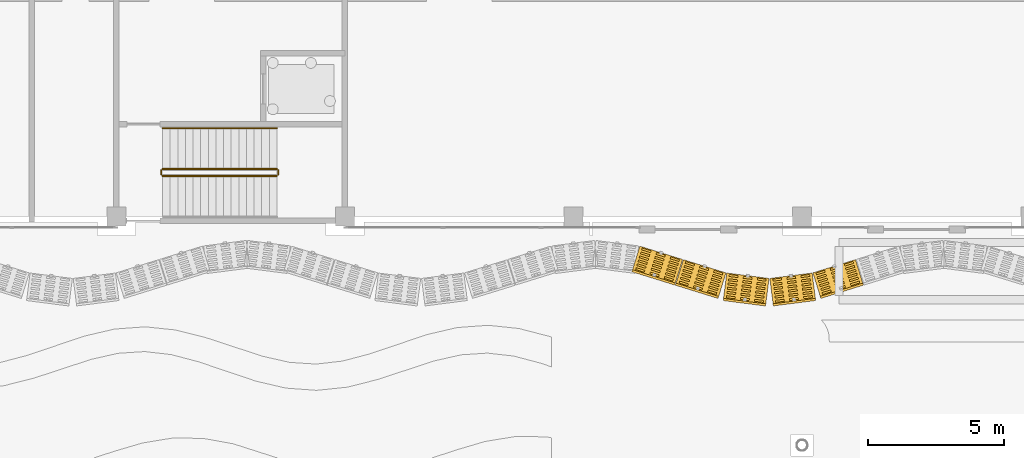
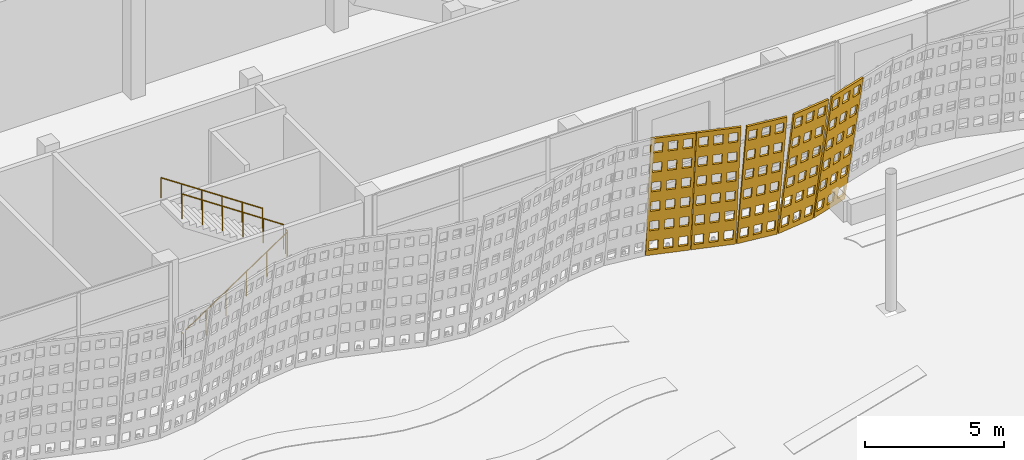
# One storey, part 170 of 210: 5 coverings, 5 railings.
"""IFC4 building model written with IfcOpenShell, lengths in metres."""

import ifcopenshell
import ifcopenshell.guid

model = None  # the IFC model being written
_history = None  # IfcOwnerHistory: only IFC2X3 demands one
_inside = {}  # id of a spatial element -> (the spatial element, [elements in it])
_under = {}  # id of a project, library or spatial element -> (it, [spatial elements below it])
_declared = {}  # id of a project -> (the project, [libraries it declares])
_typed = {}  # id of a type object -> (the type object, [elements of that type])
_made_of = {}  # id of a material, layer set ... -> (it, [elements and type objects made of it])


def new_model(schema):
    """Start an empty IFC model of exactly this schema.

    Asked for "IFC4X3", IfcOpenShell would pick the latest addendum, in which some entities
    have other attributes; the version numbers below select the first issue.
    IFC2X3 requires an IfcOwnerHistory on every rooted entity: one is made here for all.
    """
    global model, _history
    if schema == "IFC4X3":
        model = ifcopenshell.file(schema_version=(4, 3, 0, 0))
    else:
        model = ifcopenshell.file(schema=schema)
    _inside.clear()
    _under.clear()
    _declared.clear()
    _typed.clear()
    _made_of.clear()
    _history = None
    if model.schema == "IFC2X3":
        org = make("IfcOrganization", Name="unknown")
        user = make(
            "IfcPersonAndOrganization",
            ThePerson=make("IfcPerson", FamilyName="unknown"),
            TheOrganization=org,
        )
        app = make(
            "IfcApplication",
            ApplicationDeveloper=org,
            Version="unknown",
            ApplicationFullName="unknown",
            ApplicationIdentifier="unknown",
        )
        _history = make(
            "IfcOwnerHistory",
            OwningUser=user,
            OwningApplication=app,
            ChangeAction="ADDED",
            CreationDate=0,
        )
    return model


def make(cls, **values):
    """One entity of the class cls with the attributes given. An attribute that is None is left unset."""
    return model.create_entity(
        cls, **{name: value for name, value in values.items() if value is not None}
    )


def rooted(cls, **values):
    """An entity with a GlobalId (a new one), such as an element, a storey or a relation."""
    return make(cls, GlobalId=ifcopenshell.guid.new(), OwnerHistory=_history, **values)


def si_unit(unit_type, name, prefix=None):
    """IfcSIUnit, for example si_unit("LENGTHUNIT", "METRE", prefix="MILLI")."""
    return make("IfcSIUnit", UnitType=unit_type, Prefix=prefix, Name=name)


def assignment(units):
    """IfcUnitAssignment: the units of a project."""
    return None if units is None else make("IfcUnitAssignment", Units=units)


def point(xyz):
    """IfcCartesianPoint."""
    return None if xyz is None else make("IfcCartesianPoint", Coordinates=xyz)


def direction(xyz):
    """IfcDirection."""
    return None if xyz is None else make("IfcDirection", DirectionRatios=xyz)


def frame(location, z_axis=None, x_axis=None):
    """IfcAxis2Placement3D, a coordinate frame: its origin and axes. An axis left out is left unset."""
    return make(
        "IfcAxis2Placement3D",
        Location=point(location),
        Axis=direction(z_axis),
        RefDirection=direction(x_axis),
    )


def frame_2d(location, x_axis=None):
    """IfcAxis2Placement2D, a coordinate frame in the plane: its origin and x axis."""
    return make(
        "IfcAxis2Placement2D", Location=point(location), RefDirection=direction(x_axis)
    )


def origin():
    """The frame at (0, 0, 0) with its axes left unset."""
    return frame((0.0, 0.0, 0.0))


def origin_2d():
    """The frame at (0, 0) in the plane with its x axis left unset."""
    return frame_2d((0.0, 0.0))


def place(relative_to, where):
    """IfcLocalPlacement: puts the frame where relative to a parent placement (None: the world)."""
    return make(
        "IfcLocalPlacement", PlacementRelTo=relative_to, RelativePlacement=where
    )


def context(
    kind, dimensions, precision=None, world=None, true_north=None, identifier=None
):
    """IfcGeometricRepresentationContext, for example the 3D "Model" context."""
    return make(
        "IfcGeometricRepresentationContext",
        ContextIdentifier=identifier,
        ContextType=kind,
        CoordinateSpaceDimension=dimensions,
        Precision=precision,
        WorldCoordinateSystem=world,
        TrueNorth=true_north,
    )


def subcontext(parent, identifier, kind, view, scale=None):
    """IfcGeometricRepresentationSubContext, for example "Body" below "Model"."""
    return make(
        "IfcGeometricRepresentationSubContext",
        ContextIdentifier=identifier,
        ContextType=kind,
        ParentContext=parent,
        TargetScale=scale,
        TargetView=view,
    )


def project(units=None, contexts=None):
    """IfcProject with its units and contexts."""
    return rooted(
        "IfcProject",
        Name="project",
        RepresentationContexts=contexts,
        UnitsInContext=assignment(units),
    )


def spatial(cls, under=None, at=None, **own):
    """A site, building, storey or space (cls), placed at a placement, below another one or the project."""
    s = rooted(cls, ObjectPlacement=at, **own)
    if under is not None:
        _under.setdefault(under.id(), (under, []))[1].append(s)
    return s


def polyline(points):
    """IfcPolyline through the points."""
    return make("IfcPolyline", Points=[point(p) for p in points])


def profile(cls, at=None, kind="AREA", **sizes):
    """A parametric profile (cls). Its sizes go by their IFC names, for example OverallWidth=200.0."""
    return make(cls, ProfileType=kind, Position=at, **sizes)


def circle(**sizes):
    """IfcCircleProfileDef."""
    return profile("IfcCircleProfileDef", **sizes)


def outline(outer, holes=None, kind="AREA"):
    """IfcArbitraryClosedProfileDef: a profile drawn as a closed curve; with holes, ...WithVoids."""
    if holes is None:
        return make("IfcArbitraryClosedProfileDef", ProfileType=kind, OuterCurve=outer)
    return make(
        "IfcArbitraryProfileDefWithVoids",
        ProfileType=kind,
        OuterCurve=outer,
        InnerCurves=holes,
    )


def extrude(swept, where, along, depth):
    """IfcExtrudedAreaSolid: the profile swept, set in the frame where, extruded along a direction by depth."""
    return make(
        "IfcExtrudedAreaSolid",
        SweptArea=swept,
        Position=where,
        ExtrudedDirection=direction(along),
        Depth=depth,
    )


def shape(context_of_items, identifier, shape_type, items):
    """IfcShapeRepresentation: the items that make up one representation, for example the "Body"."""
    return make(
        "IfcShapeRepresentation",
        ContextOfItems=context_of_items,
        RepresentationIdentifier=identifier,
        RepresentationType=shape_type,
        Items=items,
    )


def material(Name=None, Category=None):
    """IfcMaterial."""
    return make("IfcMaterial", Name=Name, Category=Category)


def layer(
    of_material, thickness, ventilated=None, Name=None, Category=None, Priority=None
):
    """IfcMaterialLayer: one layer of a wall or slab, of a material (None: an air gap)."""
    return make(
        "IfcMaterialLayer",
        Material=of_material,
        LayerThickness=thickness,
        IsVentilated=ventilated,
        Name=Name,
        Category=Category,
        Priority=Priority,
    )


def layer_set(layers, Name=None):
    """IfcMaterialLayerSet."""
    return make("IfcMaterialLayerSet", MaterialLayers=layers, LayerSetName=Name)


def made_of(thing, what):
    """Note that an element or type object is made of a material, layer set ...; save() writes the relation."""
    if what is not None:
        _made_of.setdefault(what.id(), (what, []))[1].append(thing)
    return thing


def type_object(cls, material=None, **own):
    """A type object (cls), such as IfcWallType, which elements share."""
    return made_of(rooted(cls, **own), material)


def element(
    cls,
    number,
    at=None,
    inside=None,
    cuts=None,
    type_object=None,
    material=None,
    context=None,
    identifier="Body",
    shape_type=None,
    held_by="IfcProductDefinitionShape",
    body=None,
    shapes=None,
    **own,
):
    """One element of the class cls, such as IfcWall. Its Tag is "e" and its number.

    at: its placement. inside: the storey or other place that contains it. cuts: it is an
    opening in that element (IfcRelVoidsElement). A single representation is given by context,
    identifier, shape_type and body (its items); several are given by shapes. held_by: the class
    of the entity that holds the representations. save() writes the other relations.
    """
    e = rooted(cls, Tag="e%d" % number, ObjectPlacement=at, **own)
    if body is not None:
        shapes = [shape(context, identifier, shape_type, body)]
    if shapes is not None:
        e.Representation = make(held_by, Representations=shapes)
    if inside is not None:
        _inside.setdefault(inside.id(), (inside, []))[1].append(e)
    if cuts is not None:
        rooted(
            "IfcRelVoidsElement", RelatingBuildingElement=cuts, RelatedOpeningElement=e
        )
    if type_object is not None:
        _typed.setdefault(type_object.id(), (type_object, []))[1].append(e)
    return made_of(e, material)


def aggregate(whole, parts):
    """IfcRelAggregates: a whole, such as a stair, and the parts it consists of."""
    return rooted("IfcRelAggregates", RelatingObject=whole, RelatedObjects=parts)


def save(model, path):
    """Write the relations noted so far, then the file.

    IfcRelAggregates (storeys below a building ...), IfcRelContainedInSpatialStructure (elements
    in a storey), IfcRelDefinesByType, IfcRelAssociatesMaterial and IfcRelDeclares: one each for
    every whole, place, type object, material and project.
    """
    for whole, parts in _under.values():
        aggregate(whole, parts)
    for where, things in _inside.values():
        rooted(
            "IfcRelContainedInSpatialStructure",
            RelatedElements=things,
            RelatingStructure=where,
        )
    for kind, things in _typed.values():
        rooted("IfcRelDefinesByType", RelatedObjects=things, RelatingType=kind)
    for what, things in _made_of.values():
        rooted("IfcRelAssociatesMaterial", RelatedObjects=things, RelatingMaterial=what)
    for by, libraries in _declared.values():
        rooted("IfcRelDeclares", RelatingContext=by, RelatedDefinitions=libraries)
    model.write(path)


model = new_model("IFC4")

# Units and contexts
model_context = context("Model", 3, precision=1e-05, world=origin(), true_north=direction((0.0, 1.0)))
body_context = subcontext(model_context, "Body", "Model", "MODEL_VIEW")
ifc_project = project(units=[si_unit("LENGTHUNIT", "METRE"), si_unit("AREAUNIT", "SQUARE_METRE"), si_unit("VOLUMEUNIT", "CUBIC_METRE"), si_unit("PLANEANGLEUNIT", "RADIAN"), si_unit("MASSUNIT", "GRAM", prefix="KILO")], contexts=[model_context])

# Site, building, storey
site_placement = place(None, origin())
site = spatial("IfcSite", under=ifc_project, at=site_placement, CompositionType="ELEMENT")
building_placement = place(site_placement, origin())
building = spatial("IfcBuilding", under=site, at=building_placement, Name="Rain Tree Exposition and Congress Centre", CompositionType="ELEMENT")
storey_placement = place(building_placement, origin())
storey = spatial("IfcBuildingStorey", under=building, at=storey_placement, Name="L00", CompositionType="ELEMENT", Elevation=0.0)

# Railings
ifc_material_1 = material(Name="Aluminium and glass balustrade", Category="aluminium")
railing_type_1 = type_object("IfcRailingType", Name="Concourse guard 1100", PredefinedType="GUARDRAIL", material=ifc_material_1)
railing_1_placement = place(storey_placement, frame((35.300048828125, 77.10009765625, 0.1875)))
element("IfcRailing", 1, at=railing_1_placement, inside=storey, type_object=railing_type_1, Name="L00 ST-C1 stair guard 1", PredefinedType="GUARDRAIL", context=body_context, shape_type="SweptSolid", body=[
    extrude(circle(Radius=0.02392578125, at=origin_2d()), frame((0.0, 0.0, 1.076171875), z_axis=(0.830904186295, 0.0, 0.556415522067), x_axis=(0.0, 1.0, 0.0)), (0.0, 0.0, 1.0), 5.0546875),
    extrude(circle(Radius=0.02099609375, at=origin_2d()), origin(), (0.0, 0.0, 1.0), 1.052001953125),
    extrude(circle(Radius=0.02099609375, at=origin_2d()), frame((0.840087890625, 0.0, 0.5625)), (0.0, 0.0, 1.0), 1.052001953125),
    extrude(circle(Radius=0.02099609375, at=origin_2d()), frame((1.679931640625, 0.0, 1.125)), (0.0, 0.0, 1.0), 1.052001953125),
    extrude(circle(Radius=0.02099609375, at=origin_2d()), frame((2.52001953125, 0.0, 1.6875)), (0.0, 0.0, 1.0), 1.052001953125),
    extrude(circle(Radius=0.02099609375, at=origin_2d()), frame((3.35986328125, 0.0, 2.25)), (0.0, 0.0, 1.0), 1.052001953125),
    extrude(circle(Radius=0.02099609375, at=origin_2d()), frame((4.199951171875, 0.0, 2.8125)), (0.0, 0.0, 1.0), 1.052001953125),
])
railing_2_placement = place(storey_placement, frame((39.550048828125, 77.14990234375, 3.0)))
element("IfcRailing", 2, at=railing_2_placement, inside=storey, type_object=railing_type_1, Name="L00 ST-C1 stair guard 2", PredefinedType="GUARDRAIL", context=body_context, shape_type="SweptSolid", body=[
    extrude(circle(Radius=0.02392578125, at=origin_2d()), frame((0.0, 0.0, 1.076171875), z_axis=(0.0, 1.0, 0.0), x_axis=(-1.0, 0.0, 0.0)), (0.0, 0.0, 1.0), 0.150146484375),
    extrude(circle(Radius=0.02099609375, at=origin_2d()), origin(), (0.0, 0.0, 1.0), 1.052001953125),
    extrude(circle(Radius=0.02099609375, at=origin_2d()), frame((0.0, 0.150146484375, 0.0)), (0.0, 0.0, 1.0), 1.052001953125),
])
railing_3_placement = place(storey_placement, frame((39.5, 77.35009765625, 3.1875)))
element("IfcRailing", 3, at=railing_3_placement, inside=storey, type_object=railing_type_1, Name="L00 ST-C1 stair guard 3", PredefinedType="GUARDRAIL", context=body_context, shape_type="SweptSolid", body=[
    extrude(circle(Radius=0.02392578125, at=origin_2d()), frame((0.0, 0.0, 1.076171875), z_axis=(-0.830904186295, 0.0, 0.556415522067), x_axis=(0.0, -1.0, 0.0)), (0.0, 0.0, 1.0), 5.0546875),
    extrude(circle(Radius=0.02099609375, at=origin_2d()), origin(), (0.0, 0.0, 1.0), 1.052001953125),
    extrude(circle(Radius=0.02099609375, at=origin_2d()), frame((-0.840087890625, 0.0, 0.5625)), (0.0, 0.0, 1.0), 1.052001953125),
    extrude(circle(Radius=0.02099609375, at=origin_2d()), frame((-1.679931640625, 0.0, 1.125)), (0.0, 0.0, 1.0), 1.052001953125),
    extrude(circle(Radius=0.02099609375, at=origin_2d()), frame((-2.52001953125, 0.0, 1.6875)), (0.0, 0.0, 1.0), 1.052001953125),
    extrude(circle(Radius=0.02099609375, at=origin_2d()), frame((-3.35986328125, 0.0, 2.25)), (0.0, 0.0, 1.0), 1.052001953125),
    extrude(circle(Radius=0.02099609375, at=origin_2d()), frame((-4.199951171875, 0.0, 2.8125)), (0.0, 0.0, 1.0), 1.052001953125),
])
railing_4_placement = place(storey_placement, frame((35.25, 77.14990234375, 0.0)))
element("IfcRailing", 4, at=railing_4_placement, inside=storey, type_object=railing_type_1, Name="L00 ST-C1 stair guard 4", PredefinedType="GUARDRAIL", context=body_context, shape_type="SweptSolid", body=[
    extrude(circle(Radius=0.02392578125, at=origin_2d()), frame((0.0, 0.0, 1.076171875), z_axis=(0.0, 1.0, 0.0), x_axis=(-1.0, 0.0, 0.0)), (0.0, 0.0, 1.0), 0.150146484375),
    extrude(circle(Radius=0.02099609375, at=origin_2d()), origin(), (0.0, 0.0, 1.0), 1.052001953125),
    extrude(circle(Radius=0.02099609375, at=origin_2d()), frame((0.0, 0.150146484375, 0.0)), (0.0, 0.0, 1.0), 1.052001953125),
])
ifc_material_2 = material(Name="Aluminium handrail", Category="aluminium")
railing_type_2 = type_object("IfcRailingType", Name="Concourse handrail 900", PredefinedType="HANDRAIL", material=ifc_material_2)
railing_5_placement = place(storey_placement, frame((39.5, 78.85009765625, 3.1875)))
element("IfcRailing", 5, at=railing_5_placement, inside=storey, type_object=railing_type_2, Name="L00 ST-C1 stair handrail 2", PredefinedType="HANDRAIL", context=body_context, shape_type="SweptSolid", body=[
    extrude(circle(Radius=0.02392578125, at=origin_2d()), frame((0.0, 0.0, 0.8759765625), z_axis=(-0.830904186295, 0.0, 0.556415522067), x_axis=(0.0, -1.0, 0.0)), (0.0, 0.0, 1.0), 5.0546875),
    extrude(circle(Radius=0.02099609375, at=origin_2d()), origin(), (0.0, 0.0, 1.0), 0.851806640625),
    extrude(circle(Radius=0.02099609375, at=origin_2d()), frame((-0.840087890625, 0.0, 0.5625)), (0.0, 0.0, 1.0), 0.851806640625),
    extrude(circle(Radius=0.02099609375, at=origin_2d()), frame((-1.679931640625, 0.0, 1.125)), (0.0, 0.0, 1.0), 0.851806640625),
    extrude(circle(Radius=0.02099609375, at=origin_2d()), frame((-2.52001953125, 0.0, 1.6875)), (0.0, 0.0, 1.0), 0.851806640625),
    extrude(circle(Radius=0.02099609375, at=origin_2d()), frame((-3.35986328125, 0.0, 2.25)), (0.0, 0.0, 1.0), 0.851806640625),
    extrude(circle(Radius=0.02099609375, at=origin_2d()), frame((-4.199951171875, 0.0, 2.8125)), (0.0, 0.0, 1.0), 0.851806640625),
])

# Coverings
ifc_material_3 = material(Name="Perforated terracotta", Category="masonry")
ifc_layer = layer(ifc_material_3, 0.080078125)
ifc_layer_set = layer_set([ifc_layer], Name="Perforated terracotta")
covering_type = type_object("IfcCoveringType", Name="Terracotta screen 80", PredefinedType="CLADDING", material=ifc_layer_set)
covering_1_placement = place(storey_placement, frame((52.800048828125, 74.445068359375, 0.0), z_axis=(0.293072736571, 0.943327870838, 0.155694891303), x_axis=(-0.954973588716, 0.296690823679, 0.0)))
element("IfcCovering", 6, at=covering_1_placement, inside=storey, type_object=covering_type, Name="concourse/screen/L00/034", PredefinedType="CLADDING", context=body_context, shape_type="SweptSolid", body=[
    extrude(outline(polyline([(-0.014892578125, 0.0), (-1.659912109375, 0.0), (-1.659912109375, 5.80859375), (-0.014892578125, 5.80859375), (-0.014892578125, 0.0)]), holes=[polyline([(-0.119140625, 0.249755859375), (-0.119140625, 0.71826171875), (-0.458984375, 0.71826171875), (-0.458984375, 0.249755859375), (-0.119140625, 0.249755859375)]), polyline([(-0.119140625, 1.218017578125), (-0.119140625, 1.686279296875), (-0.458984375, 1.686279296875), (-0.458984375, 1.218017578125), (-0.119140625, 1.218017578125)]), polyline([(-0.119140625, 2.18603515625), (-0.119140625, 2.654541015625), (-0.458984375, 2.654541015625), (-0.458984375, 2.18603515625), (-0.119140625, 2.18603515625)]), polyline([(-0.119140625, 3.154052734375), (-0.119140625, 3.62255859375), (-0.458984375, 3.62255859375), (-0.458984375, 3.154052734375), (-0.119140625, 3.154052734375)]), polyline([(-0.119140625, 4.122314453125), (-0.119140625, 4.5908203125), (-0.458984375, 4.5908203125), (-0.458984375, 4.122314453125), (-0.119140625, 4.122314453125)]), polyline([(-0.119140625, 5.09033203125), (-0.119140625, 5.558837890625), (-0.458984375, 5.558837890625), (-0.458984375, 5.09033203125), (-0.119140625, 5.09033203125)]), polyline([(-0.66748046875, 0.249755859375), (-0.66748046875, 0.71826171875), (-1.00732421875, 0.71826171875), (-1.00732421875, 0.249755859375), (-0.66748046875, 0.249755859375)]), polyline([(-0.66748046875, 1.218017578125), (-0.66748046875, 1.686279296875), (-1.00732421875, 1.686279296875), (-1.00732421875, 1.218017578125), (-0.66748046875, 1.218017578125)]), polyline([(-0.66748046875, 2.18603515625), (-0.66748046875, 2.654541015625), (-1.00732421875, 2.654541015625), (-1.00732421875, 2.18603515625), (-0.66748046875, 2.18603515625)]), polyline([(-0.66748046875, 3.154052734375), (-0.66748046875, 3.62255859375), (-1.00732421875, 3.62255859375), (-1.00732421875, 3.154052734375), (-0.66748046875, 3.154052734375)]), polyline([(-0.66748046875, 4.122314453125), (-0.66748046875, 4.5908203125), (-1.00732421875, 4.5908203125), (-1.00732421875, 4.122314453125), (-0.66748046875, 4.122314453125)]), polyline([(-0.66748046875, 5.09033203125), (-0.66748046875, 5.558837890625), (-1.00732421875, 5.558837890625), (-1.00732421875, 5.09033203125), (-0.66748046875, 5.09033203125)]), polyline([(-1.2158203125, 0.249755859375), (-1.2158203125, 0.71826171875), (-1.5556640625, 0.71826171875), (-1.5556640625, 0.249755859375), (-1.2158203125, 0.249755859375)]), polyline([(-1.2158203125, 1.218017578125), (-1.2158203125, 1.686279296875), (-1.5556640625, 1.686279296875), (-1.5556640625, 1.218017578125), (-1.2158203125, 1.218017578125)]), polyline([(-1.2158203125, 2.18603515625), (-1.2158203125, 2.654541015625), (-1.5556640625, 2.654541015625), (-1.5556640625, 2.18603515625), (-1.2158203125, 2.18603515625)]), polyline([(-1.2158203125, 3.154052734375), (-1.2158203125, 3.62255859375), (-1.5556640625, 3.62255859375), (-1.5556640625, 3.154052734375), (-1.2158203125, 3.154052734375)]), polyline([(-1.2158203125, 4.122314453125), (-1.2158203125, 4.5908203125), (-1.5556640625, 4.5908203125), (-1.5556640625, 4.122314453125), (-1.2158203125, 4.122314453125)]), polyline([(-1.2158203125, 5.09033203125), (-1.2158203125, 5.558837890625), (-1.5556640625, 5.558837890625), (-1.5556640625, 5.09033203125), (-1.2158203125, 5.09033203125)])]), origin(), (0.0, 0.0, 1.0), 0.080078125),
])
covering_2_placement = place(storey_placement, frame((54.39990234375, 73.949951171875, 0.0), z_axis=(0.293072736571, 0.943327870838, 0.155694891303), x_axis=(-0.954973588716, 0.296690823679, 0.0)))
element("IfcCovering", 7, at=covering_2_placement, inside=storey, type_object=covering_type, Name="concourse/screen/L00/035", PredefinedType="CLADDING", context=body_context, shape_type="SweptSolid", body=[
    extrude(outline(polyline([(-0.014892578125, 0.0), (-1.65283203125, 0.0), (-1.65283203125, 5.80859375), (-0.014892578125, 5.80859375), (-0.014892578125, 0.0)]), holes=[polyline([(-0.11865234375, 0.249755859375), (-0.11865234375, 0.71826171875), (-0.457275390625, 0.71826171875), (-0.457275390625, 0.249755859375), (-0.11865234375, 0.249755859375)]), polyline([(-0.11865234375, 1.218017578125), (-0.11865234375, 1.686279296875), (-0.457275390625, 1.686279296875), (-0.457275390625, 1.218017578125), (-0.11865234375, 1.218017578125)]), polyline([(-0.11865234375, 2.18603515625), (-0.11865234375, 2.654541015625), (-0.457275390625, 2.654541015625), (-0.457275390625, 2.18603515625), (-0.11865234375, 2.18603515625)]), polyline([(-0.11865234375, 3.154052734375), (-0.11865234375, 3.62255859375), (-0.457275390625, 3.62255859375), (-0.457275390625, 3.154052734375), (-0.11865234375, 3.154052734375)]), polyline([(-0.11865234375, 4.122314453125), (-0.11865234375, 4.5908203125), (-0.457275390625, 4.5908203125), (-0.457275390625, 4.122314453125), (-0.11865234375, 4.122314453125)]), polyline([(-0.11865234375, 5.09033203125), (-0.11865234375, 5.558837890625), (-0.457275390625, 5.558837890625), (-0.457275390625, 5.09033203125), (-0.11865234375, 5.09033203125)]), polyline([(-0.664794921875, 0.249755859375), (-0.664794921875, 0.71826171875), (-1.003173828125, 0.71826171875), (-1.003173828125, 0.249755859375), (-0.664794921875, 0.249755859375)]), polyline([(-0.664794921875, 1.218017578125), (-0.664794921875, 1.686279296875), (-1.003173828125, 1.686279296875), (-1.003173828125, 1.218017578125), (-0.664794921875, 1.218017578125)]), polyline([(-0.664794921875, 2.18603515625), (-0.664794921875, 2.654541015625), (-1.003173828125, 2.654541015625), (-1.003173828125, 2.18603515625), (-0.664794921875, 2.18603515625)]), polyline([(-0.664794921875, 3.154052734375), (-0.664794921875, 3.62255859375), (-1.003173828125, 3.62255859375), (-1.003173828125, 3.154052734375), (-0.664794921875, 3.154052734375)]), polyline([(-0.664794921875, 4.122314453125), (-0.664794921875, 4.5908203125), (-1.003173828125, 4.5908203125), (-1.003173828125, 4.122314453125), (-0.664794921875, 4.122314453125)]), polyline([(-0.664794921875, 5.09033203125), (-0.664794921875, 5.558837890625), (-1.003173828125, 5.558837890625), (-1.003173828125, 5.09033203125), (-0.664794921875, 5.09033203125)]), polyline([(-1.210693359375, 0.249755859375), (-1.210693359375, 0.71826171875), (-1.54931640625, 0.71826171875), (-1.54931640625, 0.249755859375), (-1.210693359375, 0.249755859375)]), polyline([(-1.210693359375, 1.218017578125), (-1.210693359375, 1.686279296875), (-1.54931640625, 1.686279296875), (-1.54931640625, 1.218017578125), (-1.210693359375, 1.218017578125)]), polyline([(-1.210693359375, 2.18603515625), (-1.210693359375, 2.654541015625), (-1.54931640625, 2.654541015625), (-1.54931640625, 2.18603515625), (-1.210693359375, 2.18603515625)]), polyline([(-1.210693359375, 3.154052734375), (-1.210693359375, 3.62255859375), (-1.54931640625, 3.62255859375), (-1.54931640625, 3.154052734375), (-1.210693359375, 3.154052734375)]), polyline([(-1.210693359375, 4.122314453125), (-1.210693359375, 4.5908203125), (-1.54931640625, 4.5908203125), (-1.54931640625, 4.122314453125), (-1.210693359375, 4.122314453125)]), polyline([(-1.210693359375, 5.09033203125), (-1.210693359375, 5.558837890625), (-1.54931640625, 5.558837890625), (-1.54931640625, 5.09033203125), (-1.210693359375, 5.09033203125)])]), origin(), (0.0, 0.0, 1.0), 0.080078125),
])
covering_3_placement = place(storey_placement, frame((56.0, 73.455078125, 0.0), z_axis=(0.125405134464, 0.978771781185, 0.162109076259), x_axis=(-0.991891686382, 0.127086122318, 0.0)))
element("IfcCovering", 8, at=covering_3_placement, inside=storey, type_object=covering_type, Name="concourse/screen/L00/036", PredefinedType="CLADDING", context=body_context, shape_type="SweptSolid", body=[
    extrude(outline(polyline([(-0.02197265625, 0.0), (-1.587890625, 0.0), (-1.587890625, 5.813720703125), (-0.02197265625, 5.813720703125), (-0.02197265625, 0.0)]), holes=[polyline([(-0.12109375, 0.25), (-0.12109375, 0.718994140625), (-0.444580078125, 0.718994140625), (-0.444580078125, 0.25), (-0.12109375, 0.25)]), polyline([(-0.12109375, 1.218994140625), (-0.12109375, 1.687744140625), (-0.444580078125, 1.687744140625), (-0.444580078125, 1.218994140625), (-0.12109375, 1.218994140625)]), polyline([(-0.12109375, 2.18798828125), (-0.12109375, 2.65673828125), (-0.444580078125, 2.65673828125), (-0.444580078125, 2.18798828125), (-0.12109375, 2.18798828125)]), polyline([(-0.12109375, 3.156982421875), (-0.12109375, 3.625732421875), (-0.444580078125, 3.625732421875), (-0.444580078125, 3.156982421875), (-0.12109375, 3.156982421875)]), polyline([(-0.12109375, 4.125732421875), (-0.12109375, 4.594482421875), (-0.444580078125, 4.594482421875), (-0.444580078125, 4.125732421875), (-0.12109375, 4.125732421875)]), polyline([(-0.12109375, 5.0947265625), (-0.12109375, 5.563720703125), (-0.444580078125, 5.563720703125), (-0.444580078125, 5.0947265625), (-0.12109375, 5.0947265625)]), polyline([(-0.64306640625, 0.25), (-0.64306640625, 0.718994140625), (-0.966796875, 0.718994140625), (-0.966796875, 0.25), (-0.64306640625, 0.25)]), polyline([(-0.64306640625, 1.218994140625), (-0.64306640625, 1.687744140625), (-0.966796875, 1.687744140625), (-0.966796875, 1.218994140625), (-0.64306640625, 1.218994140625)]), polyline([(-0.64306640625, 2.18798828125), (-0.64306640625, 2.65673828125), (-0.966796875, 2.65673828125), (-0.966796875, 2.18798828125), (-0.64306640625, 2.18798828125)]), polyline([(-0.64306640625, 3.156982421875), (-0.64306640625, 3.625732421875), (-0.966796875, 3.625732421875), (-0.966796875, 3.156982421875), (-0.64306640625, 3.156982421875)]), polyline([(-0.64306640625, 4.125732421875), (-0.64306640625, 4.594482421875), (-0.966796875, 4.594482421875), (-0.966796875, 4.125732421875), (-0.64306640625, 4.125732421875)]), polyline([(-0.64306640625, 5.0947265625), (-0.64306640625, 5.563720703125), (-0.966796875, 5.563720703125), (-0.966796875, 5.0947265625), (-0.64306640625, 5.0947265625)]), polyline([(-1.1650390625, 0.25), (-1.1650390625, 0.718994140625), (-1.48876953125, 0.718994140625), (-1.48876953125, 0.25), (-1.1650390625, 0.25)]), polyline([(-1.1650390625, 1.218994140625), (-1.1650390625, 1.687744140625), (-1.48876953125, 1.687744140625), (-1.48876953125, 1.218994140625), (-1.1650390625, 1.218994140625)]), polyline([(-1.1650390625, 2.18798828125), (-1.1650390625, 2.65673828125), (-1.48876953125, 2.65673828125), (-1.48876953125, 2.18798828125), (-1.1650390625, 2.18798828125)]), polyline([(-1.1650390625, 3.156982421875), (-1.1650390625, 3.625732421875), (-1.48876953125, 3.625732421875), (-1.48876953125, 3.156982421875), (-1.1650390625, 3.156982421875)]), polyline([(-1.1650390625, 4.125732421875), (-1.1650390625, 4.594482421875), (-1.48876953125, 4.594482421875), (-1.48876953125, 4.125732421875), (-1.1650390625, 4.125732421875)]), polyline([(-1.1650390625, 5.0947265625), (-1.1650390625, 5.563720703125), (-1.48876953125, 5.563720703125), (-1.48876953125, 5.0947265625), (-1.1650390625, 5.0947265625)])]), origin(), (0.0, 0.0, 1.0), 0.079833984375),
])
covering_4_placement = place(storey_placement, frame((57.60009765625, 73.25, 0.0), z_axis=(-0.125030801275, 0.978899688033, 0.161625182136), x_axis=(-0.991941518713, -0.126696580272, 0.0)))
element("IfcCovering", 9, at=covering_4_placement, inside=storey, type_object=covering_type, Name="concourse/screen/L00/037", PredefinedType="CLADDING", context=body_context, shape_type="SweptSolid", body=[
    extrude(outline(polyline([(-0.025146484375, 0.0), (-1.59130859375, 0.0), (-1.59130859375, 5.813720703125), (-0.025146484375, 5.813720703125), (-0.025146484375, 0.0)]), holes=[polyline([(-0.12451171875, 0.25), (-0.12451171875, 0.718994140625), (-0.447998046875, 0.718994140625), (-0.447998046875, 0.25), (-0.12451171875, 0.25)]), polyline([(-0.12451171875, 1.218994140625), (-0.12451171875, 1.687744140625), (-0.447998046875, 1.687744140625), (-0.447998046875, 1.218994140625), (-0.12451171875, 1.218994140625)]), polyline([(-0.12451171875, 2.18798828125), (-0.12451171875, 2.65673828125), (-0.447998046875, 2.65673828125), (-0.447998046875, 2.18798828125), (-0.12451171875, 2.18798828125)]), polyline([(-0.12451171875, 3.156982421875), (-0.12451171875, 3.625732421875), (-0.447998046875, 3.625732421875), (-0.447998046875, 3.156982421875), (-0.12451171875, 3.156982421875)]), polyline([(-0.12451171875, 4.125732421875), (-0.12451171875, 4.594482421875), (-0.447998046875, 4.594482421875), (-0.447998046875, 4.125732421875), (-0.12451171875, 4.125732421875)]), polyline([(-0.12451171875, 5.0947265625), (-0.12451171875, 5.563720703125), (-0.447998046875, 5.563720703125), (-0.447998046875, 5.0947265625), (-0.12451171875, 5.0947265625)]), polyline([(-0.646484375, 0.25), (-0.646484375, 0.718994140625), (-0.969970703125, 0.718994140625), (-0.969970703125, 0.25), (-0.646484375, 0.25)]), polyline([(-0.646484375, 1.218994140625), (-0.646484375, 1.687744140625), (-0.969970703125, 1.687744140625), (-0.969970703125, 1.218994140625), (-0.646484375, 1.218994140625)]), polyline([(-0.646484375, 2.18798828125), (-0.646484375, 2.65673828125), (-0.969970703125, 2.65673828125), (-0.969970703125, 2.18798828125), (-0.646484375, 2.18798828125)]), polyline([(-0.646484375, 3.156982421875), (-0.646484375, 3.625732421875), (-0.969970703125, 3.625732421875), (-0.969970703125, 3.156982421875), (-0.646484375, 3.156982421875)]), polyline([(-0.646484375, 4.125732421875), (-0.646484375, 4.594482421875), (-0.969970703125, 4.594482421875), (-0.969970703125, 4.125732421875), (-0.646484375, 4.125732421875)]), polyline([(-0.646484375, 5.0947265625), (-0.646484375, 5.563720703125), (-0.969970703125, 5.563720703125), (-0.969970703125, 5.0947265625), (-0.646484375, 5.0947265625)]), polyline([(-1.16845703125, 0.25), (-1.16845703125, 0.718994140625), (-1.491943359375, 0.718994140625), (-1.491943359375, 0.25), (-1.16845703125, 0.25)]), polyline([(-1.16845703125, 1.218994140625), (-1.16845703125, 1.687744140625), (-1.491943359375, 1.687744140625), (-1.491943359375, 1.218994140625), (-1.16845703125, 1.218994140625)]), polyline([(-1.16845703125, 2.18798828125), (-1.16845703125, 2.65673828125), (-1.491943359375, 2.65673828125), (-1.491943359375, 2.18798828125), (-1.16845703125, 2.18798828125)]), polyline([(-1.16845703125, 3.156982421875), (-1.16845703125, 3.625732421875), (-1.491943359375, 3.625732421875), (-1.491943359375, 3.156982421875), (-1.16845703125, 3.156982421875)]), polyline([(-1.16845703125, 4.125732421875), (-1.16845703125, 4.594482421875), (-1.491943359375, 4.594482421875), (-1.491943359375, 4.125732421875), (-1.16845703125, 4.125732421875)]), polyline([(-1.16845703125, 5.0947265625), (-1.16845703125, 5.563720703125), (-1.491943359375, 5.563720703125), (-1.491943359375, 5.0947265625), (-1.16845703125, 5.0947265625)])]), origin(), (0.0, 0.0, 1.0), 0.080078125),
])
covering_5_placement = place(storey_placement, frame((59.199951171875, 73.455078125, 0.0), z_axis=(-0.293072736571, 0.943327870838, 0.155694891303), x_axis=(-0.954973588716, -0.296690823679, 0.0)))
element("IfcCovering", 10, at=covering_5_placement, inside=storey, type_object=covering_type, Name="concourse/screen/L00/038", PredefinedType="CLADDING", context=body_context, shape_type="SweptSolid", body=[
    extrude(outline(polyline([(-0.02197265625, 0.0), (-1.659912109375, 0.0), (-1.659912109375, 5.80859375), (-0.02197265625, 5.80859375), (-0.02197265625, 0.0)]), holes=[polyline([(-0.125732421875, 0.249755859375), (-0.125732421875, 0.71826171875), (-0.464111328125, 0.71826171875), (-0.464111328125, 0.249755859375), (-0.125732421875, 0.249755859375)]), polyline([(-0.125732421875, 1.218017578125), (-0.125732421875, 1.686279296875), (-0.464111328125, 1.686279296875), (-0.464111328125, 1.218017578125), (-0.125732421875, 1.218017578125)]), polyline([(-0.125732421875, 2.18603515625), (-0.125732421875, 2.654541015625), (-0.464111328125, 2.654541015625), (-0.464111328125, 2.18603515625), (-0.125732421875, 2.18603515625)]), polyline([(-0.125732421875, 3.154052734375), (-0.125732421875, 3.62255859375), (-0.464111328125, 3.62255859375), (-0.464111328125, 3.154052734375), (-0.125732421875, 3.154052734375)]), polyline([(-0.125732421875, 4.122314453125), (-0.125732421875, 4.5908203125), (-0.464111328125, 4.5908203125), (-0.464111328125, 4.122314453125), (-0.125732421875, 4.122314453125)]), polyline([(-0.125732421875, 5.09033203125), (-0.125732421875, 5.558837890625), (-0.464111328125, 5.558837890625), (-0.464111328125, 5.09033203125), (-0.125732421875, 5.09033203125)]), polyline([(-0.671630859375, 0.249755859375), (-0.671630859375, 0.71826171875), (-1.010009765625, 0.71826171875), (-1.010009765625, 0.249755859375), (-0.671630859375, 0.249755859375)]), polyline([(-0.671630859375, 1.218017578125), (-0.671630859375, 1.686279296875), (-1.010009765625, 1.686279296875), (-1.010009765625, 1.218017578125), (-0.671630859375, 1.218017578125)]), polyline([(-0.671630859375, 2.18603515625), (-0.671630859375, 2.654541015625), (-1.010009765625, 2.654541015625), (-1.010009765625, 2.18603515625), (-0.671630859375, 2.18603515625)]), polyline([(-0.671630859375, 3.154052734375), (-0.671630859375, 3.62255859375), (-1.010009765625, 3.62255859375), (-1.010009765625, 3.154052734375), (-0.671630859375, 3.154052734375)]), polyline([(-0.671630859375, 4.122314453125), (-0.671630859375, 4.5908203125), (-1.010009765625, 4.5908203125), (-1.010009765625, 4.122314453125), (-0.671630859375, 4.122314453125)]), polyline([(-0.671630859375, 5.09033203125), (-0.671630859375, 5.558837890625), (-1.010009765625, 5.558837890625), (-1.010009765625, 5.09033203125), (-0.671630859375, 5.09033203125)]), polyline([(-1.217529296875, 0.249755859375), (-1.217529296875, 0.71826171875), (-1.55615234375, 0.71826171875), (-1.55615234375, 0.249755859375), (-1.217529296875, 0.249755859375)]), polyline([(-1.217529296875, 1.218017578125), (-1.217529296875, 1.686279296875), (-1.55615234375, 1.686279296875), (-1.55615234375, 1.218017578125), (-1.217529296875, 1.218017578125)]), polyline([(-1.217529296875, 2.18603515625), (-1.217529296875, 2.654541015625), (-1.55615234375, 2.654541015625), (-1.55615234375, 2.18603515625), (-1.217529296875, 2.18603515625)]), polyline([(-1.217529296875, 3.154052734375), (-1.217529296875, 3.62255859375), (-1.55615234375, 3.62255859375), (-1.55615234375, 3.154052734375), (-1.217529296875, 3.154052734375)]), polyline([(-1.217529296875, 4.122314453125), (-1.217529296875, 4.5908203125), (-1.55615234375, 4.5908203125), (-1.55615234375, 4.122314453125), (-1.217529296875, 4.122314453125)]), polyline([(-1.217529296875, 5.09033203125), (-1.217529296875, 5.558837890625), (-1.55615234375, 5.558837890625), (-1.55615234375, 5.09033203125), (-1.217529296875, 5.09033203125)])]), origin(), (0.0, 0.0, 1.0), 0.080078125),
])

save(model, "model.ifc")
